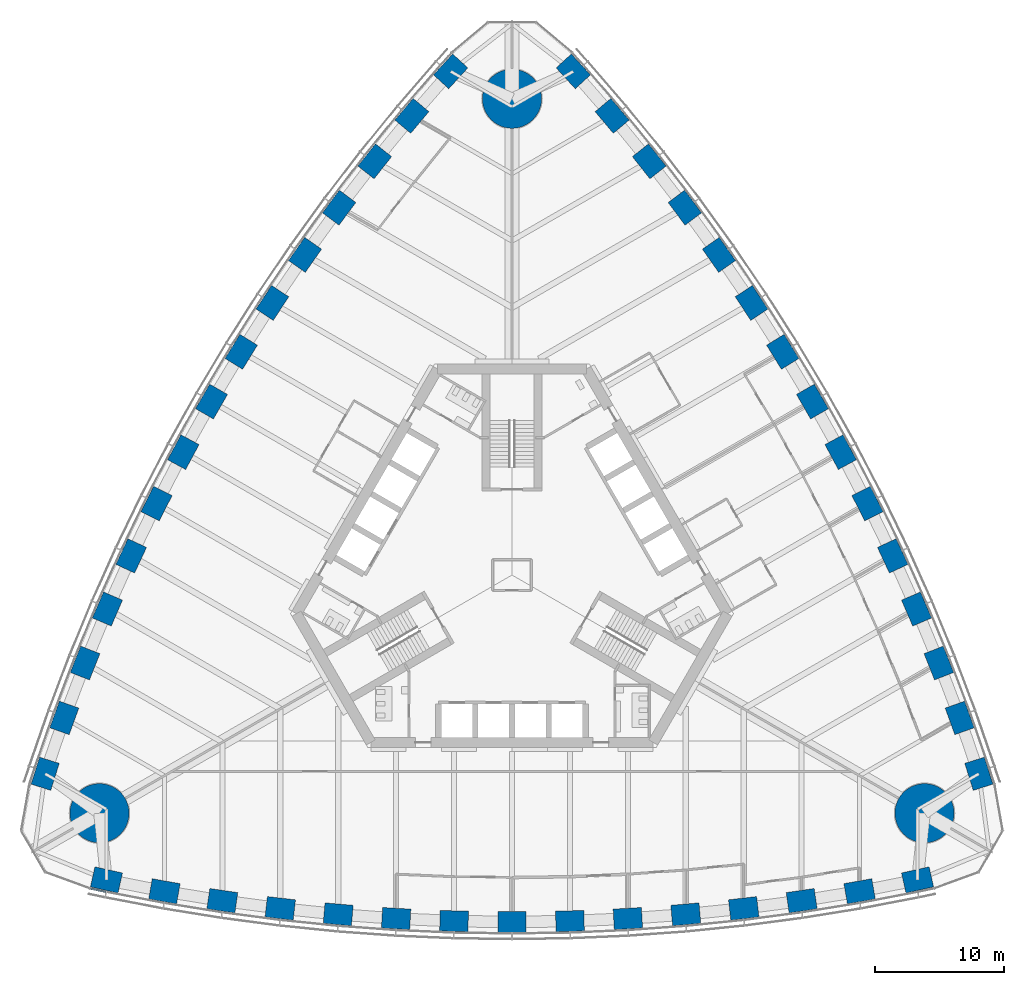
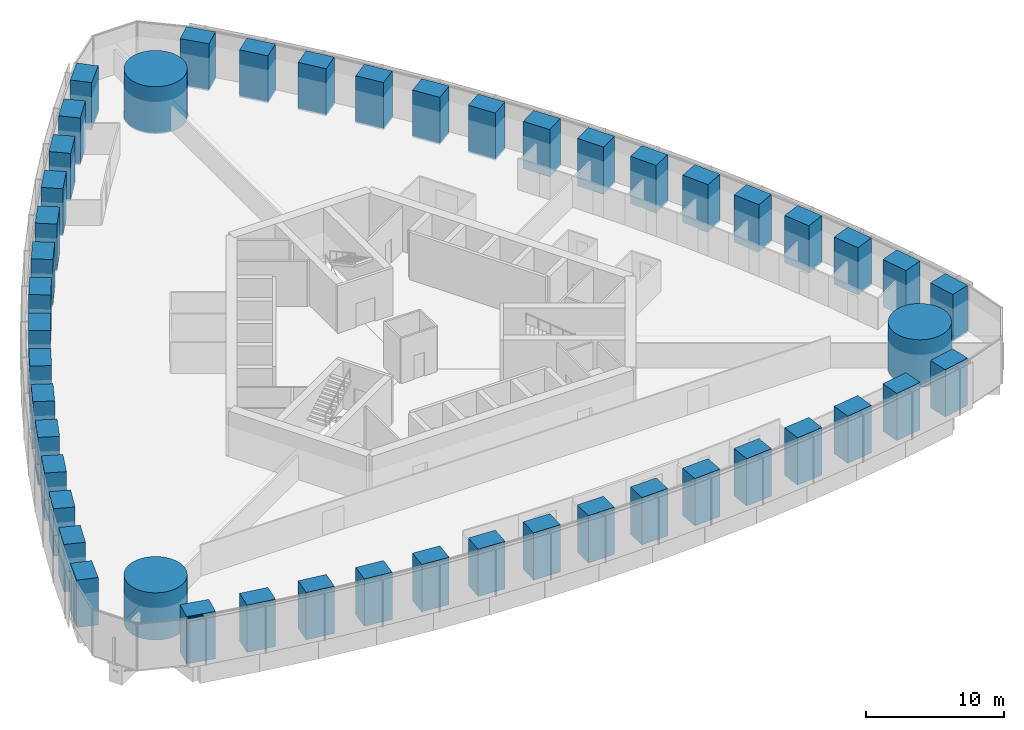
# One storey, part 1 of 19: 48 columns, 1 member, 1 element without a shape of its own.
"""IFC4 building model written with IfcOpenShell, lengths in metres."""

import ifcopenshell
import ifcopenshell.guid

model = None  # the IFC model being written
_history = None  # IfcOwnerHistory: only IFC2X3 demands one
_inside = {}  # id of a spatial element -> (the spatial element, [elements in it])
_under = {}  # id of a project, library or spatial element -> (it, [spatial elements below it])
_declared = {}  # id of a project -> (the project, [libraries it declares])
_typed = {}  # id of a type object -> (the type object, [elements of that type])
_made_of = {}  # id of a material, layer set ... -> (it, [elements and type objects made of it])


def new_model(schema):
    """Start an empty IFC model of exactly this schema.

    Asked for "IFC4X3", IfcOpenShell would pick the latest addendum, in which some entities
    have other attributes; the version numbers below select the first issue.
    IFC2X3 requires an IfcOwnerHistory on every rooted entity: one is made here for all.
    """
    global model, _history
    if schema == "IFC4X3":
        model = ifcopenshell.file(schema_version=(4, 3, 0, 0))
    else:
        model = ifcopenshell.file(schema=schema)
    _inside.clear()
    _under.clear()
    _declared.clear()
    _typed.clear()
    _made_of.clear()
    _history = None
    if model.schema == "IFC2X3":
        org = make("IfcOrganization", Name="unknown")
        user = make(
            "IfcPersonAndOrganization",
            ThePerson=make("IfcPerson", FamilyName="unknown"),
            TheOrganization=org,
        )
        app = make(
            "IfcApplication",
            ApplicationDeveloper=org,
            Version="unknown",
            ApplicationFullName="unknown",
            ApplicationIdentifier="unknown",
        )
        _history = make(
            "IfcOwnerHistory",
            OwningUser=user,
            OwningApplication=app,
            ChangeAction="ADDED",
            CreationDate=0,
        )
    return model


def make(cls, **values):
    """One entity of the class cls with the attributes given. An attribute that is None is left unset."""
    return model.create_entity(
        cls, **{name: value for name, value in values.items() if value is not None}
    )


def rooted(cls, **values):
    """An entity with a GlobalId (a new one), such as an element, a storey or a relation."""
    return make(cls, GlobalId=ifcopenshell.guid.new(), OwnerHistory=_history, **values)


def si_unit(unit_type, name, prefix=None):
    """IfcSIUnit, for example si_unit("LENGTHUNIT", "METRE", prefix="MILLI")."""
    return make("IfcSIUnit", UnitType=unit_type, Prefix=prefix, Name=name)


def assignment(units):
    """IfcUnitAssignment: the units of a project."""
    return None if units is None else make("IfcUnitAssignment", Units=units)


def point(xyz):
    """IfcCartesianPoint."""
    return None if xyz is None else make("IfcCartesianPoint", Coordinates=xyz)


def direction(xyz):
    """IfcDirection."""
    return None if xyz is None else make("IfcDirection", DirectionRatios=xyz)


def frame(location, z_axis=None, x_axis=None):
    """IfcAxis2Placement3D, a coordinate frame: its origin and axes. An axis left out is left unset."""
    return make(
        "IfcAxis2Placement3D",
        Location=point(location),
        Axis=direction(z_axis),
        RefDirection=direction(x_axis),
    )


def frame_2d(location, x_axis=None):
    """IfcAxis2Placement2D, a coordinate frame in the plane: its origin and x axis."""
    return make(
        "IfcAxis2Placement2D", Location=point(location), RefDirection=direction(x_axis)
    )


def origin():
    """The frame at (0, 0, 0) with its axes left unset."""
    return frame((0.0, 0.0, 0.0))


def origin_2d():
    """The frame at (0, 0) in the plane with its x axis left unset."""
    return frame_2d((0.0, 0.0))


def place(relative_to, where):
    """IfcLocalPlacement: puts the frame where relative to a parent placement (None: the world)."""
    return make(
        "IfcLocalPlacement", PlacementRelTo=relative_to, RelativePlacement=where
    )


def context(
    kind, dimensions, precision=None, world=None, true_north=None, identifier=None
):
    """IfcGeometricRepresentationContext, for example the 3D "Model" context."""
    return make(
        "IfcGeometricRepresentationContext",
        ContextIdentifier=identifier,
        ContextType=kind,
        CoordinateSpaceDimension=dimensions,
        Precision=precision,
        WorldCoordinateSystem=world,
        TrueNorth=true_north,
    )


def subcontext(parent, identifier, kind, view, scale=None):
    """IfcGeometricRepresentationSubContext, for example "Body" below "Model"."""
    return make(
        "IfcGeometricRepresentationSubContext",
        ContextIdentifier=identifier,
        ContextType=kind,
        ParentContext=parent,
        TargetScale=scale,
        TargetView=view,
    )


def project(units=None, contexts=None):
    """IfcProject with its units and contexts."""
    return rooted(
        "IfcProject",
        Name="project",
        RepresentationContexts=contexts,
        UnitsInContext=assignment(units),
    )


def spatial(cls, under=None, at=None, **own):
    """A site, building, storey or space (cls), placed at a placement, below another one or the project."""
    s = rooted(cls, ObjectPlacement=at, **own)
    if under is not None:
        _under.setdefault(under.id(), (under, []))[1].append(s)
    return s


def profile(cls, at=None, kind="AREA", **sizes):
    """A parametric profile (cls). Its sizes go by their IFC names, for example OverallWidth=200.0."""
    return make(cls, ProfileType=kind, Position=at, **sizes)


def rectangle(**sizes):
    """IfcRectangleProfileDef."""
    return profile("IfcRectangleProfileDef", **sizes)


def circle(**sizes):
    """IfcCircleProfileDef."""
    return profile("IfcCircleProfileDef", **sizes)


def extrude(swept, where, along, depth):
    """IfcExtrudedAreaSolid: the profile swept, set in the frame where, extruded along a direction by depth."""
    return make(
        "IfcExtrudedAreaSolid",
        SweptArea=swept,
        Position=where,
        ExtrudedDirection=direction(along),
        Depth=depth,
    )


def shape(context_of_items, identifier, shape_type, items):
    """IfcShapeRepresentation: the items that make up one representation, for example the "Body"."""
    return make(
        "IfcShapeRepresentation",
        ContextOfItems=context_of_items,
        RepresentationIdentifier=identifier,
        RepresentationType=shape_type,
        Items=items,
    )


def material(Name=None, Category=None):
    """IfcMaterial."""
    return make("IfcMaterial", Name=Name, Category=Category)


def material_profile(
    of_material, cross_section, Name=None, Category=None, Priority=None
):
    """IfcMaterialProfile: a cross section and its material."""
    return make(
        "IfcMaterialProfile",
        Name=Name,
        Material=of_material,
        Profile=cross_section,
        Priority=Priority,
        Category=Category,
    )


def profile_set(profiles, Name=None, composite=None):
    """IfcMaterialProfileSet."""
    return make(
        "IfcMaterialProfileSet",
        Name=Name,
        MaterialProfiles=profiles,
        CompositeProfile=composite,
    )


def made_of(thing, what):
    """Note that an element or type object is made of a material, layer set ...; save() writes the relation."""
    if what is not None:
        _made_of.setdefault(what.id(), (what, []))[1].append(thing)
    return thing


def type_object(cls, material=None, **own):
    """A type object (cls), such as IfcWallType, which elements share."""
    return made_of(rooted(cls, **own), material)


def element(
    cls,
    number,
    at=None,
    inside=None,
    cuts=None,
    type_object=None,
    material=None,
    context=None,
    identifier="Body",
    shape_type=None,
    held_by="IfcProductDefinitionShape",
    body=None,
    shapes=None,
    **own,
):
    """One element of the class cls, such as IfcWall. Its Tag is "e" and its number.

    at: its placement. inside: the storey or other place that contains it. cuts: it is an
    opening in that element (IfcRelVoidsElement). A single representation is given by context,
    identifier, shape_type and body (its items); several are given by shapes. held_by: the class
    of the entity that holds the representations. save() writes the other relations.
    """
    e = rooted(cls, Tag="e%d" % number, ObjectPlacement=at, **own)
    if body is not None:
        shapes = [shape(context, identifier, shape_type, body)]
    if shapes is not None:
        e.Representation = make(held_by, Representations=shapes)
    if inside is not None:
        _inside.setdefault(inside.id(), (inside, []))[1].append(e)
    if cuts is not None:
        rooted(
            "IfcRelVoidsElement", RelatingBuildingElement=cuts, RelatedOpeningElement=e
        )
    if type_object is not None:
        _typed.setdefault(type_object.id(), (type_object, []))[1].append(e)
    return made_of(e, material)


def aggregate(whole, parts):
    """IfcRelAggregates: a whole, such as a stair, and the parts it consists of."""
    return rooted("IfcRelAggregates", RelatingObject=whole, RelatedObjects=parts)


def save(model, path):
    """Write the relations noted so far, then the file.

    IfcRelAggregates (storeys below a building ...), IfcRelContainedInSpatialStructure (elements
    in a storey), IfcRelDefinesByType, IfcRelAssociatesMaterial and IfcRelDeclares: one each for
    every whole, place, type object, material and project.
    """
    for whole, parts in _under.values():
        aggregate(whole, parts)
    for where, things in _inside.values():
        rooted(
            "IfcRelContainedInSpatialStructure",
            RelatedElements=things,
            RelatingStructure=where,
        )
    for kind, things in _typed.values():
        rooted("IfcRelDefinesByType", RelatedObjects=things, RelatingType=kind)
    for what, things in _made_of.values():
        rooted("IfcRelAssociatesMaterial", RelatedObjects=things, RelatingMaterial=what)
    for by, libraries in _declared.values():
        rooted("IfcRelDeclares", RelatingContext=by, RelatedDefinitions=libraries)
    model.write(path)


model = new_model("IFC4")

# Units and contexts
model_context = context("Model", 3, precision=1e-05, world=origin(), true_north=direction((0.0, 1.0)))
body_context = subcontext(model_context, "Body", "Model", "MODEL_VIEW")
ifc_project = project(units=[si_unit("LENGTHUNIT", "METRE"), si_unit("AREAUNIT", "SQUARE_METRE"), si_unit("VOLUMEUNIT", "CUBIC_METRE"), si_unit("PLANEANGLEUNIT", "RADIAN"), si_unit("MASSUNIT", "GRAM", prefix="KILO")], contexts=[model_context])

# Site, building, storey
site_placement = place(None, origin())
site = spatial("IfcSite", under=ifc_project, at=site_placement, CompositionType="ELEMENT")
building_placement = place(site_placement, origin())
building = spatial("IfcBuilding", under=site, at=building_placement, Name="Trefoil Bronze Tower", CompositionType="ELEMENT")
storey_placement = place(building_placement, frame((0.0, 0.0, 83.699951171875)))
storey = spatial("IfcBuildingStorey", under=building, at=storey_placement, Name="L19", CompositionType="ELEMENT", Elevation=83.699951171875)

# Columns
ifc_material_1 = material(Name="Concrete B80", Category="concrete")
ifc_material_profile_1 = material_profile(ifc_material_1, circle(Radius=2.300048828125, at=origin_2d()), Name="RC D4600")
ifc_profile_set_1 = profile_set([ifc_material_profile_1], Name="Concrete B80")
column_type_1 = type_object("IfcColumnType", Name="Mega column RC D4600", PredefinedType="COLUMN", material=ifc_profile_set_1)
for number, where, z_axis, x_axis, name in (
    (1, (32.04296875, -18.5, 0.0), (0.0, 0.0, 1.0), (1.0, 0.0, 0.0), "Mega column K1 L19"),
    (2, (0.0, 37.0, 0.0), (0.0, 0.0, 1.0), (1.0, 0.0, 0.0), "Mega column K2 L19"),
    (3, (-32.04296875, -18.5, 0.0), (0.0, 0.0, 1.0), (1.0, 0.0, 0.0), "Mega column K3 L19"),
):
    element("IfcColumn", number, at=place(storey_placement, frame(where, z_axis=z_axis, x_axis=x_axis)), inside=storey, type_object=column_type_1, Name=name, PredefinedType="COLUMN", context=body_context, shape_type="SweptSolid", body=[
        extrude(circle(Radius=2.300048828125, at=origin_2d()), origin(), (0.0, 0.0, 1.0), 4.199951171875),
    ])
ifc_material_2 = material(Name="Concrete B80", Category="concrete")
ifc_material_profile_2 = material_profile(ifc_material_2, rectangle(XDim=2.199951171875, YDim=1.60009765625, at=origin_2d()), Name="RC 2200x1600")
ifc_profile_set_2 = profile_set([ifc_material_profile_2], Name="Concrete B80")
column_type_2 = type_object("IfcColumnType", Name="Tube column RC 2200x1600", PredefinedType="COLUMN", material=ifc_profile_set_2)
for number, where, z_axis, x_axis, name in (
    (4, (-31.5, -23.684814453125, 0.0), (0.0, 0.0, 1.0), (0.976229647342, -0.216738726697, 0.0), "Tube column F1/-7 L19"),
    (5, (-27.0, -24.56787109375, 0.0), (0.0, 0.0, 1.0), (0.984722470468, -0.174131146426, 0.0), "Tube column F1/-6 L19"),
    (6, (-22.5, -25.29931640625, 0.0), (0.0, 0.0, 1.0), (0.989415676546, -0.145108990094, 0.0), "Tube column F1/-5 L19"),
    (7, (-18.0, -25.895263671875, 0.0), (0.0, 0.0, 1.0), (0.993239048989, -0.116086999973, 0.0), "Tube column F1/-4 L19"),
    (8, (-13.5, -26.35693359375, 0.0), (0.0, 0.0, 1.0), (0.996202620701, -0.087065139456, 0.0), "Tube column F1/-3 L19"),
    (9, (-9.0, -26.68603515625, 0.0), (0.0, 0.0, 1.0), (0.998314062162, -0.058043374207, 0.0), "Tube column F1/-2 L19"),
    (10, (-4.5, -26.883056640625, 0.0), (0.0, 0.0, 1.0), (0.999578782577, -0.029021671584, 0.0), "Tube column F1/-1 L19"),
    (11, (0.0, -26.94873046875, 0.0), (0.0, 0.0, 1.0), (1.0, 0.0, 0.0), "Tube column F1/+0 L19"),
    (12, (4.5, -26.883056640625, 0.0), (0.0, 0.0, 1.0), (0.999578782577, 0.029021671584, 0.0), "Tube column F1/+1 L19"),
    (13, (9.0, -26.68603515625, 0.0), (0.0, 0.0, 1.0), (0.998314062162, 0.058043374207, 0.0), "Tube column F1/+2 L19"),
    (14, (13.5, -26.35693359375, 0.0), (0.0, 0.0, 1.0), (0.996202620701, 0.087065139456, 0.0), "Tube column F1/+3 L19"),
    (15, (18.0, -25.895263671875, 0.0), (0.0, 0.0, 1.0), (0.993239048989, 0.116086999973, 0.0), "Tube column F1/+4 L19"),
    (16, (22.5, -25.29931640625, 0.0), (0.0, 0.0, 1.0), (0.989415676546, 0.145108990094, 0.0), "Tube column F1/+5 L19"),
    (17, (27.0, -24.56787109375, 0.0), (0.0, 0.0, 1.0), (0.984722470468, 0.174131146426, 0.0), "Tube column F1/+6 L19"),
    (18, (31.5, -23.684814453125, 0.0), (0.0, 0.0, 1.0), (0.976229647342, 0.216738726697, 0.0), "Tube column F1/+7 L19"),
    (19, (36.26171875, -15.4375, 0.0), (0.0, 0.0, 1.0), (-0.300413580368, 0.953809037874, 0.0), "Tube column F2/-7 L19"),
    (20, (34.7763671875, -11.0986328125, 0.0), (0.0, 0.0, 1.0), (-0.341559238839, 0.939860248316, 0.0), "Tube column F2/-6 L19"),
    (21, (33.159912109375, -6.8359375, 0.0), (0.0, 0.0, 1.0), (-0.369039766534, 0.929413605838, 0.0), "Tube column F2/-5 L19"),
    (22, (31.42578125, -2.640869140625, 0.0), (0.0, 0.0, 1.0), (-0.396085233469, 0.918213748442, 0.0), "Tube column F2/-4 L19"),
    (23, (29.575927734375, 1.487060546875, 0.0), (0.0, 0.0, 1.0), (-0.422700687798, 0.906269346572, 0.0), "Tube column F2/-3 L19"),
    (24, (27.61083984375, 5.548828125, 0.0), (0.0, 0.0, 1.0), (-0.448889994497, 0.893587025891, 0.0), "Tube column F2/-2 L19"),
    (25, (25.531494140625, 9.54443359375, 0.0), (0.0, 0.0, 1.0), (-0.474655886437, 0.880171454588, 0.0), "Tube column F2/-1 L19"),
    (26, (23.33837890625, 13.474365234375, 0.0), (0.0, 0.0, 1.0), (-0.5, 0.866025403784, 0.0), "Tube column F2/+0 L19"),
    (27, (21.031494140625, 17.338623046875, 0.0), (0.0, 0.0, 1.0), (-0.524922896141, 0.851149783004, 0.0), "Tube column F2/+1 L19"),
    (28, (18.61083984375, 21.13720703125, 0.0), (0.0, 0.0, 1.0), (-0.549424067665, 0.835543651684, 0.0), "Tube column F2/+2 L19"),
    (29, (16.075927734375, 24.869873046875, 0.0), (0.0, 0.0, 1.0), (-0.573501932903, 0.819204207116, 0.0), "Tube column F2/+3 L19"),
    (30, (13.42578125, 28.5361328125, 0.0), (0.0, 0.0, 1.0), (-0.59715381552, 0.802126748469, 0.0), "Tube column F2/+4 L19"),
    (31, (10.659912109375, 32.13525390625, 0.0), (0.0, 0.0, 1.0), (-0.620375910011, 0.784304615744, 0.0), "Tube column F2/+5 L19"),
    (32, (7.7763671875, 35.666748046875, 0.0), (0.0, 0.0, 1.0), (-0.643163231629, 0.765729101889, 0.0), "Tube column F2/+6 L19"),
    (33, (4.76171875, 39.122314453125, 0.0), (0.0, 0.0, 1.0), (-0.675816066975, 0.737070311177, 0.0), "Tube column F2/+7 L19"),
    (34, (-4.76171875, 39.122314453125, 0.0), (0.0, 0.0, 1.0), (-0.675816066975, -0.737070311177, 0.0), "Tube column F3/-7 L19"),
    (35, (-7.7763671875, 35.666748046875, 0.0), (0.0, 0.0, 1.0), (-0.643163231629, -0.765729101889, 0.0), "Tube column F3/-6 L19"),
    (36, (-10.659912109375, 32.13525390625, 0.0), (0.0, 0.0, 1.0), (-0.620375910011, -0.784304615744, 0.0), "Tube column F3/-5 L19"),
    (37, (-13.42578125, 28.5361328125, 0.0), (0.0, 0.0, 1.0), (-0.59715381552, -0.802126748469, 0.0), "Tube column F3/-4 L19"),
    (38, (-16.075927734375, 24.869873046875, 0.0), (0.0, 0.0, 1.0), (-0.573501932903, -0.819204207116, 0.0), "Tube column F3/-3 L19"),
    (39, (-18.61083984375, 21.13720703125, 0.0), (0.0, 0.0, 1.0), (-0.549424067665, -0.835543651684, 0.0), "Tube column F3/-2 L19"),
    (40, (-21.031494140625, 17.338623046875, 0.0), (0.0, 0.0, 1.0), (-0.524922896141, -0.851149783004, 0.0), "Tube column F3/-1 L19"),
    (41, (-23.33837890625, 13.474365234375, 0.0), (0.0, 0.0, 1.0), (-0.5, -0.866025403784, 0.0), "Tube column F3/+0 L19"),
    (42, (-25.531494140625, 9.54443359375, 0.0), (0.0, 0.0, 1.0), (-0.474655886437, -0.880171454588, 0.0), "Tube column F3/+1 L19"),
    (43, (-27.61083984375, 5.548828125, 0.0), (0.0, 0.0, 1.0), (-0.448889994497, -0.893587025891, 0.0), "Tube column F3/+2 L19"),
    (44, (-29.575927734375, 1.487060546875, 0.0), (0.0, 0.0, 1.0), (-0.422700687798, -0.906269346572, 0.0), "Tube column F3/+3 L19"),
    (45, (-31.42578125, -2.640869140625, 0.0), (0.0, 0.0, 1.0), (-0.396085233469, -0.918213748442, 0.0), "Tube column F3/+4 L19"),
    (46, (-33.159912109375, -6.8359375, 0.0), (0.0, 0.0, 1.0), (-0.369039766534, -0.929413605838, 0.0), "Tube column F3/+5 L19"),
    (47, (-34.7763671875, -11.0986328125, 0.0), (0.0, 0.0, 1.0), (-0.341559238839, -0.939860248316, 0.0), "Tube column F3/+6 L19"),
    (48, (-36.26171875, -15.4375, 0.0), (0.0, 0.0, 1.0), (-0.300413580368, -0.953809037874, 0.0), "Tube column F3/+7 L19"),
):
    element("IfcColumn", number, at=place(storey_placement, frame(where, z_axis=z_axis, x_axis=x_axis)), inside=storey, type_object=column_type_2, Name=name, PredefinedType="COLUMN", context=body_context, shape_type="SweptSolid", body=[
        extrude(rectangle(XDim=2.199951171875, YDim=1.60009765625, at=origin_2d()), origin(), (0.0, 0.0, 1.0), 4.199951171875),
    ])

# Curtain wall, member
ifc_material_3 = material(Name="Tinted solar-control glass", Category="glass")
curtain_wall_type = type_object("IfcCurtainWallType", Name="Bronze office curtain wall", PredefinedType="USERDEFINED", material=ifc_material_3)
curtain_wall_placement = place(storey_placement, origin())
curtain_wall = element("IfcCurtainWall", 49, at=curtain_wall_placement, inside=storey, type_object=curtain_wall_type, Name="CW-A L19 F1", ObjectType="CURTAIN WALL", PredefinedType="USERDEFINED")
ifc_material_4 = material(Name="Bronze-finish aluminium", Category="aluminium")
ifc_material_profile_3 = material_profile(ifc_material_4, rectangle(XDim=0.1201171875, YDim=0.10009765625, at=origin_2d()), Name="CW-A transom")
ifc_profile_set_3 = profile_set([ifc_material_profile_3], Name="Bronze-finish aluminium")
member_type = type_object("IfcMemberType", Name="Bronze office curtain wall transom", PredefinedType="USERDEFINED", material=ifc_profile_set_3)
member_placement = place(storey_placement, frame((-32.743896484375, -24.354736328125, 4.130126953125), z_axis=(0.978266371807, -0.207352129942, 0.0), x_axis=(0.207352129942, 0.978266371807, 0.0)))
member = element("IfcMember", 50, at=member_placement, type_object=member_type, Name="CW-A L19 F1 transom 1", ObjectType="TRANSOM", PredefinedType="USERDEFINED", context=body_context, shape_type="SweptSolid", body=[
    extrude(rectangle(XDim=0.1201171875, YDim=0.10009765625, at=origin_2d()), origin(), (0.0, 0.0, 1.0), 1.21044921875),
])
aggregate(curtain_wall, [member])

save(model, "model.ifc")
